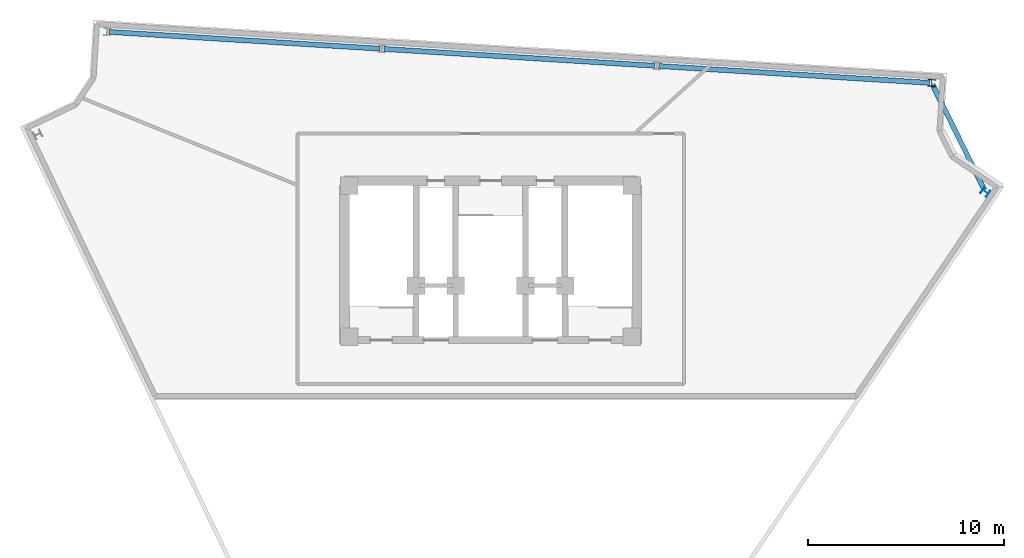
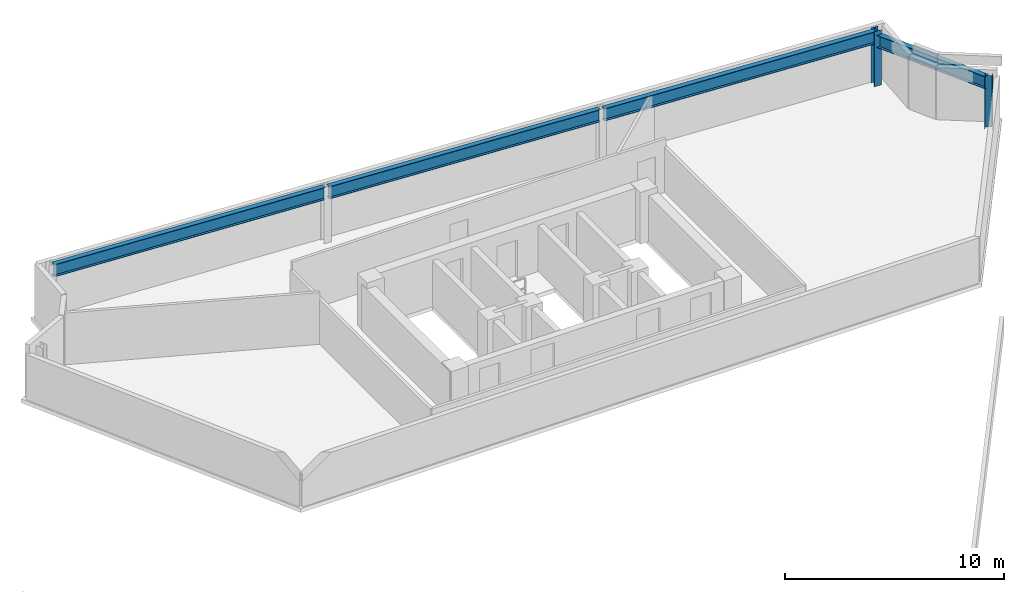
# One storey, part 2 of 4: 4 beams, 2 columns.
"""IFC4 building model written with IfcOpenShell, lengths in metres."""

from ifc_helpers import new_model, si_unit, direction, frame, origin, origin_2d, place, context, subcontext, project, spatial, i_section, extrude, material, material_profile, profile_set, type_object, element, save


model = new_model("IFC4")

# Units and contexts
model_context = context("Model", 3, precision=1e-05, world=origin(), true_north=direction((0.0, 1.0)))
body_context = subcontext(model_context, "Body", "Model", "MODEL_VIEW")
ifc_project = project(units=[si_unit("LENGTHUNIT", "METRE"), si_unit("AREAUNIT", "SQUARE_METRE"), si_unit("VOLUMEUNIT", "CUBIC_METRE"), si_unit("PLANEANGLEUNIT", "RADIAN"), si_unit("MASSUNIT", "GRAM", prefix="KILO")], contexts=[model_context])

# Site, building, storey
site_placement = place(None, origin())
site = spatial("IfcSite", under=ifc_project, at=site_placement, CompositionType="ELEMENT")
building_placement = place(site_placement, origin())
building = spatial("IfcBuilding", under=site, at=building_placement, Name="Apsidion Concourse Tower", CompositionType="ELEMENT")
storey_placement = place(building_placement, frame((0.0, 0.0, 346.5)))
storey = spatial("IfcBuildingStorey", under=building, at=storey_placement, Name="L82", CompositionType="ELEMENT", Elevation=346.5)

# Columns
ifc_material = material(Name="Structural steel ASTM A992 Grade 50", Category="steel")
ifc_material_profile_1 = material_profile(ifc_material, i_section(OverallWidth=0.367919921875, OverallDepth=0.35595703125, WebThickness=0.01123046875, FlangeThickness=0.01806640625, at=origin_2d()), Name="W14X90")
ifc_profile_set_1 = profile_set([ifc_material_profile_1], Name="Structural steel ASTM A992 Grade 50")
column_type = type_object("IfcColumnType", Name="COL-W14-90", PredefinedType="COLUMN", material=ifc_profile_set_1)
column_1_placement = place(storey_placement, frame((25.208984375, 8.83251953125, 0.0), z_axis=(0.0, 0.0, 1.0), x_axis=(0.559192903471, 0.829037572555, 0.0)))
element("IfcColumn", 1, at=column_1_placement, inside=storey, type_object=column_type, Name="L82 Rotated Perimeter Column PC08", PredefinedType="COLUMN", context=body_context, shape_type="SweptSolid", body=[
    extrude(i_section(OverallWidth=0.367919921875, OverallDepth=0.35595703125, WebThickness=0.01123046875, FlangeThickness=0.01806640625, at=origin_2d()), origin(), (0.0, 0.0, 1.0), 2.868896484375),
])
column_2_placement = place(storey_placement, frame((22.47705078125, 14.378662109375, 0.0), z_axis=(0.0, 0.0, 1.0), x_axis=(-0.998081143466, 0.061919553109, 0.0)))
element("IfcColumn", 2, at=column_2_placement, inside=storey, type_object=column_type, Name="L82 Rotated Perimeter Column PC09", PredefinedType="COLUMN", context=body_context, shape_type="SweptSolid", body=[
    extrude(i_section(OverallWidth=0.367919921875, OverallDepth=0.35595703125, WebThickness=0.01123046875, FlangeThickness=0.01806640625, at=origin_2d()), origin(), (0.0, 0.0, 1.0), 3.06494140625),
])

# Beams
ifc_material_profile_2 = material_profile(ifc_material, i_section(OverallWidth=0.256103515625, OverallDepth=0.693115234375, WebThickness=0.014404296875, FlangeThickness=0.023681640625, at=origin_2d()), Name="W27X114")
ifc_profile_set_2 = profile_set([ifc_material_profile_2], Name="Structural steel ASTM A992 Grade 50")
beam_type = type_object("IfcBeamType", Name="BM-SP-W27", PredefinedType="SPANDREL", material=ifc_profile_set_2)
beam_1_placement = place(storey_placement, frame((25.164794921875, 8.922119140625, 2.485595703125), z_axis=(-0.441884134894, 0.897072132734, 0.0), x_axis=(-0.897072132734, -0.441884134894, 0.0)))
element("IfcBeam", 3, at=beam_1_placement, inside=storey, type_object=beam_type, Name="L82 Crown Perimeter Spandrel Beam CSP-02", PredefinedType="SPANDREL", context=body_context, shape_type="SweptSolid", body=[
    extrude(i_section(OverallWidth=0.256103515625, OverallDepth=0.693115234375, WebThickness=0.014404296875, FlangeThickness=0.023681640625, at=origin_2d()), origin(), (0.0, 0.0, 1.0), 5.982421875),
])
beam_2_placement = place(storey_placement, frame((22.377197265625, 14.384765625, 2.6787109375), z_axis=(-0.998077561187, 0.06197726886, 0.0), x_axis=(-0.06197726886, -0.998077561187, 0.0)))
element("IfcBeam", 4, at=beam_2_placement, inside=storey, type_object=beam_type, Name="L82 Crown Perimeter Spandrel Beam CSP-03", PredefinedType="SPANDREL", context=body_context, shape_type="SweptSolid", body=[
    extrude(i_section(OverallWidth=0.256103515625, OverallDepth=0.693115234375, WebThickness=0.014404296875, FlangeThickness=0.023681640625, at=origin_2d()), origin(), (0.0, 0.0, 1.0), 13.83447265625),
])
for number, where, z_axis, x_axis, name in (
    (5, (8.36962890625, 15.254638671875, 2.70947265625), (-0.998076537228, 0.061993756414, 0.0), (-0.061993756414, -0.998076537228, 0.0), "L82 Crown Perimeter Spandrel Beam CSP-04"),
    (6, (-5.637939453125, 16.12451171875, 2.739990234375), (-0.998076537228, 0.061993756414, 0.0), (-0.061993756414, -0.998076537228, 0.0), "L82 Crown Perimeter Spandrel Beam CSP-05"),
):
    element("IfcBeam", number, at=place(storey_placement, frame(where, z_axis=z_axis, x_axis=x_axis)), inside=storey, type_object=beam_type, Name=name, PredefinedType="SPANDREL", context=body_context, shape_type="SweptSolid", body=[
        extrude(i_section(OverallWidth=0.256103515625, OverallDepth=0.693115234375, WebThickness=0.014404296875, FlangeThickness=0.023681640625, at=origin_2d()), origin(), (0.0, 0.0, 1.0), 13.834716796875),
    ])

save(model, "model.ifc")
